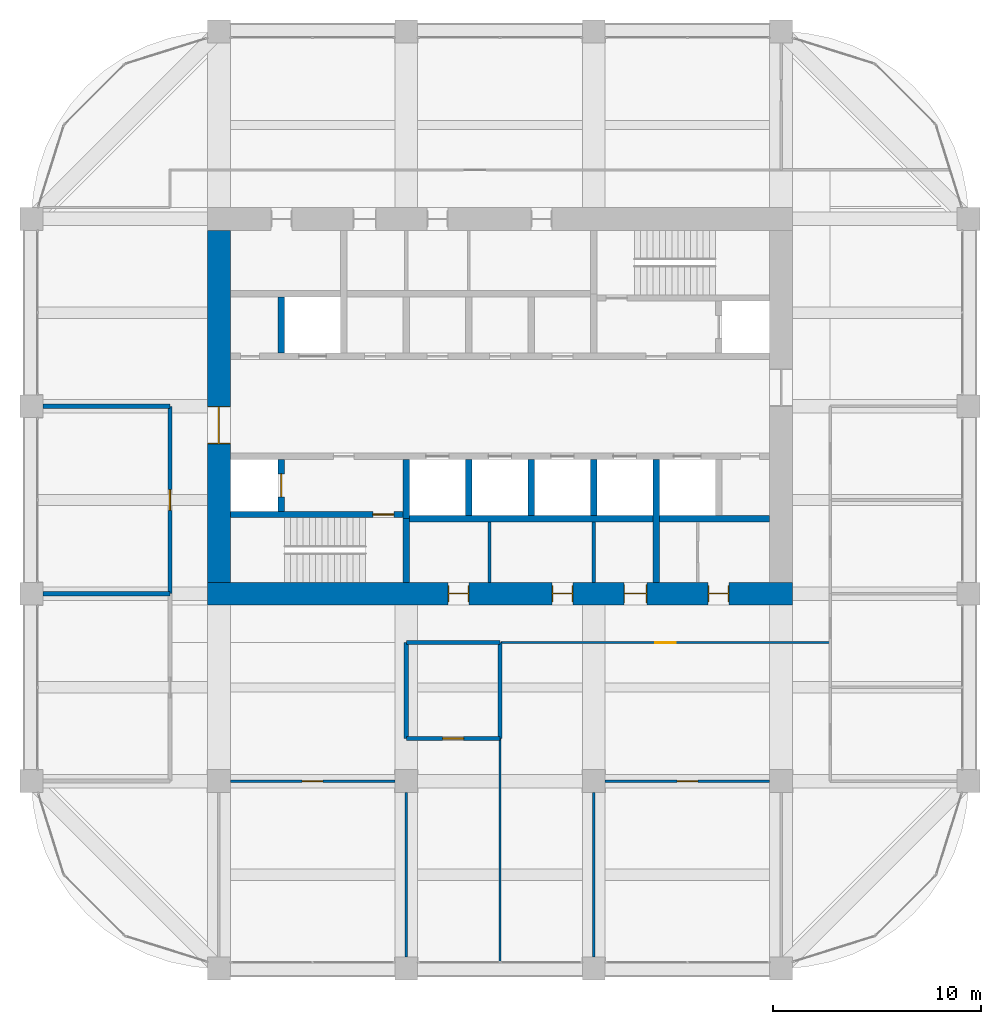
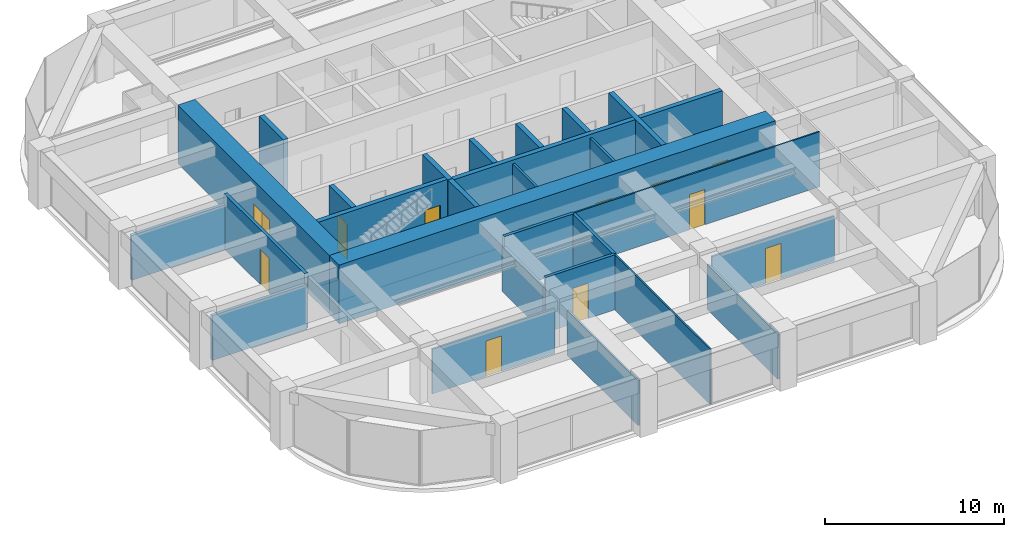
# One storey, part 41 of 44: 27 walls, 12 doors, 12 openings.
"""IFC4 building model written with IfcOpenShell, lengths in metres."""

import ifcopenshell
import ifcopenshell.guid

model = None  # the IFC model being written
_history = None  # IfcOwnerHistory: only IFC2X3 demands one
_inside = {}  # id of a spatial element -> (the spatial element, [elements in it])
_under = {}  # id of a project, library or spatial element -> (it, [spatial elements below it])
_declared = {}  # id of a project -> (the project, [libraries it declares])
_typed = {}  # id of a type object -> (the type object, [elements of that type])
_made_of = {}  # id of a material, layer set ... -> (it, [elements and type objects made of it])


def new_model(schema):
    """Start an empty IFC model of exactly this schema.

    Asked for "IFC4X3", IfcOpenShell would pick the latest addendum, in which some entities
    have other attributes; the version numbers below select the first issue.
    IFC2X3 requires an IfcOwnerHistory on every rooted entity: one is made here for all.
    """
    global model, _history
    if schema == "IFC4X3":
        model = ifcopenshell.file(schema_version=(4, 3, 0, 0))
    else:
        model = ifcopenshell.file(schema=schema)
    _inside.clear()
    _under.clear()
    _declared.clear()
    _typed.clear()
    _made_of.clear()
    _history = None
    if model.schema == "IFC2X3":
        org = make("IfcOrganization", Name="unknown")
        user = make(
            "IfcPersonAndOrganization",
            ThePerson=make("IfcPerson", FamilyName="unknown"),
            TheOrganization=org,
        )
        app = make(
            "IfcApplication",
            ApplicationDeveloper=org,
            Version="unknown",
            ApplicationFullName="unknown",
            ApplicationIdentifier="unknown",
        )
        _history = make(
            "IfcOwnerHistory",
            OwningUser=user,
            OwningApplication=app,
            ChangeAction="ADDED",
            CreationDate=0,
        )
    return model


def make(cls, **values):
    """One entity of the class cls with the attributes given. An attribute that is None is left unset."""
    return model.create_entity(
        cls, **{name: value for name, value in values.items() if value is not None}
    )


def rooted(cls, **values):
    """An entity with a GlobalId (a new one), such as an element, a storey or a relation."""
    return make(cls, GlobalId=ifcopenshell.guid.new(), OwnerHistory=_history, **values)


def si_unit(unit_type, name, prefix=None):
    """IfcSIUnit, for example si_unit("LENGTHUNIT", "METRE", prefix="MILLI")."""
    return make("IfcSIUnit", UnitType=unit_type, Prefix=prefix, Name=name)


def assignment(units):
    """IfcUnitAssignment: the units of a project."""
    return None if units is None else make("IfcUnitAssignment", Units=units)


def point(xyz):
    """IfcCartesianPoint."""
    return None if xyz is None else make("IfcCartesianPoint", Coordinates=xyz)


def direction(xyz):
    """IfcDirection."""
    return None if xyz is None else make("IfcDirection", DirectionRatios=xyz)


def frame(location, z_axis=None, x_axis=None):
    """IfcAxis2Placement3D, a coordinate frame: its origin and axes. An axis left out is left unset."""
    return make(
        "IfcAxis2Placement3D",
        Location=point(location),
        Axis=direction(z_axis),
        RefDirection=direction(x_axis),
    )


def frame_2d(location, x_axis=None):
    """IfcAxis2Placement2D, a coordinate frame in the plane: its origin and x axis."""
    return make(
        "IfcAxis2Placement2D", Location=point(location), RefDirection=direction(x_axis)
    )


def origin():
    """The frame at (0, 0, 0) with its axes left unset."""
    return frame((0.0, 0.0, 0.0))


def place(relative_to, where):
    """IfcLocalPlacement: puts the frame where relative to a parent placement (None: the world)."""
    return make(
        "IfcLocalPlacement", PlacementRelTo=relative_to, RelativePlacement=where
    )


def context(
    kind, dimensions, precision=None, world=None, true_north=None, identifier=None
):
    """IfcGeometricRepresentationContext, for example the 3D "Model" context."""
    return make(
        "IfcGeometricRepresentationContext",
        ContextIdentifier=identifier,
        ContextType=kind,
        CoordinateSpaceDimension=dimensions,
        Precision=precision,
        WorldCoordinateSystem=world,
        TrueNorth=true_north,
    )


def subcontext(parent, identifier, kind, view, scale=None):
    """IfcGeometricRepresentationSubContext, for example "Body" below "Model"."""
    return make(
        "IfcGeometricRepresentationSubContext",
        ContextIdentifier=identifier,
        ContextType=kind,
        ParentContext=parent,
        TargetScale=scale,
        TargetView=view,
    )


def project(units=None, contexts=None):
    """IfcProject with its units and contexts."""
    return rooted(
        "IfcProject",
        Name="project",
        RepresentationContexts=contexts,
        UnitsInContext=assignment(units),
    )


def spatial(cls, under=None, at=None, **own):
    """A site, building, storey or space (cls), placed at a placement, below another one or the project."""
    s = rooted(cls, ObjectPlacement=at, **own)
    if under is not None:
        _under.setdefault(under.id(), (under, []))[1].append(s)
    return s


def profile(cls, at=None, kind="AREA", **sizes):
    """A parametric profile (cls). Its sizes go by their IFC names, for example OverallWidth=200.0."""
    return make(cls, ProfileType=kind, Position=at, **sizes)


def rectangle(**sizes):
    """IfcRectangleProfileDef."""
    return profile("IfcRectangleProfileDef", **sizes)


def extrude(swept, where, along, depth):
    """IfcExtrudedAreaSolid: the profile swept, set in the frame where, extruded along a direction by depth."""
    return make(
        "IfcExtrudedAreaSolid",
        SweptArea=swept,
        Position=where,
        ExtrudedDirection=direction(along),
        Depth=depth,
    )


def shape(context_of_items, identifier, shape_type, items):
    """IfcShapeRepresentation: the items that make up one representation, for example the "Body"."""
    return make(
        "IfcShapeRepresentation",
        ContextOfItems=context_of_items,
        RepresentationIdentifier=identifier,
        RepresentationType=shape_type,
        Items=items,
    )


def material(Name=None, Category=None):
    """IfcMaterial."""
    return make("IfcMaterial", Name=Name, Category=Category)


def layer(
    of_material, thickness, ventilated=None, Name=None, Category=None, Priority=None
):
    """IfcMaterialLayer: one layer of a wall or slab, of a material (None: an air gap)."""
    return make(
        "IfcMaterialLayer",
        Material=of_material,
        LayerThickness=thickness,
        IsVentilated=ventilated,
        Name=Name,
        Category=Category,
        Priority=Priority,
    )


def layer_set(layers, Name=None):
    """IfcMaterialLayerSet."""
    return make("IfcMaterialLayerSet", MaterialLayers=layers, LayerSetName=Name)


def made_of(thing, what):
    """Note that an element or type object is made of a material, layer set ...; save() writes the relation."""
    if what is not None:
        _made_of.setdefault(what.id(), (what, []))[1].append(thing)
    return thing


def type_object(cls, material=None, **own):
    """A type object (cls), such as IfcWallType, which elements share."""
    return made_of(rooted(cls, **own), material)


def element(
    cls,
    number,
    at=None,
    inside=None,
    cuts=None,
    type_object=None,
    material=None,
    context=None,
    identifier="Body",
    shape_type=None,
    held_by="IfcProductDefinitionShape",
    body=None,
    shapes=None,
    **own,
):
    """One element of the class cls, such as IfcWall. Its Tag is "e" and its number.

    at: its placement. inside: the storey or other place that contains it. cuts: it is an
    opening in that element (IfcRelVoidsElement). A single representation is given by context,
    identifier, shape_type and body (its items); several are given by shapes. held_by: the class
    of the entity that holds the representations. save() writes the other relations.
    """
    e = rooted(cls, Tag="e%d" % number, ObjectPlacement=at, **own)
    if body is not None:
        shapes = [shape(context, identifier, shape_type, body)]
    if shapes is not None:
        e.Representation = make(held_by, Representations=shapes)
    if inside is not None:
        _inside.setdefault(inside.id(), (inside, []))[1].append(e)
    if cuts is not None:
        rooted(
            "IfcRelVoidsElement", RelatingBuildingElement=cuts, RelatedOpeningElement=e
        )
    if type_object is not None:
        _typed.setdefault(type_object.id(), (type_object, []))[1].append(e)
    return made_of(e, material)


def fill(opening, filler):
    """IfcRelFillsElement: the door or window that sits in an opening."""
    return rooted(
        "IfcRelFillsElement",
        RelatingOpeningElement=opening,
        RelatedBuildingElement=filler,
    )


def aggregate(whole, parts):
    """IfcRelAggregates: a whole, such as a stair, and the parts it consists of."""
    return rooted("IfcRelAggregates", RelatingObject=whole, RelatedObjects=parts)


def save(model, path):
    """Write the relations noted so far, then the file.

    IfcRelAggregates (storeys below a building ...), IfcRelContainedInSpatialStructure (elements
    in a storey), IfcRelDefinesByType, IfcRelAssociatesMaterial and IfcRelDeclares: one each for
    every whole, place, type object, material and project.
    """
    for whole, parts in _under.values():
        aggregate(whole, parts)
    for where, things in _inside.values():
        rooted(
            "IfcRelContainedInSpatialStructure",
            RelatedElements=things,
            RelatingStructure=where,
        )
    for kind, things in _typed.values():
        rooted("IfcRelDefinesByType", RelatedObjects=things, RelatingType=kind)
    for what, things in _made_of.values():
        rooted("IfcRelAssociatesMaterial", RelatedObjects=things, RelatingMaterial=what)
    for by, libraries in _declared.values():
        rooted("IfcRelDeclares", RelatingContext=by, RelatedDefinitions=libraries)
    model.write(path)


model = new_model("IFC4")

# Units and contexts
model_context = context("Model", 3, precision=1e-05, world=origin(), true_north=direction((0.0, 1.0)))
body_context = subcontext(model_context, "Body", "Model", "MODEL_VIEW")
ifc_project = project(units=[si_unit("LENGTHUNIT", "METRE"), si_unit("AREAUNIT", "SQUARE_METRE"), si_unit("VOLUMEUNIT", "CUBIC_METRE"), si_unit("PLANEANGLEUNIT", "RADIAN"), si_unit("MASSUNIT", "GRAM", prefix="KILO")], contexts=[model_context])

# Site, building, storey
site_placement = place(None, origin())
site = spatial("IfcSite", under=ifc_project, at=site_placement, CompositionType="ELEMENT")
building_placement = place(site_placement, origin())
building = spatial("IfcBuilding", under=site, at=building_placement, Name="Zorevar Civic Tower", CompositionType="ELEMENT")
storey_placement = place(building_placement, frame((0.0, 0.0, 267.39990234375)))
storey = spatial("IfcBuildingStorey", under=building, at=storey_placement, Name="L65", CompositionType="ELEMENT", Elevation=267.39990234375)

# Wall, opening, door
ifc_material_1 = material(Name="Concrete blockwork", Category="masonry")
ifc_layer_1 = layer(ifc_material_1, 0.199951171875)
ifc_layer_set_1 = layer_set([ifc_layer_1], Name="Blockwork wall 200")
wall_type_1 = type_object("IfcWallType", Name="Blockwork wall 200", PredefinedType="SOLIDWALL", material=ifc_layer_set_1)
wall_1_placement = place(storey_placement, frame((27.0, 11.050048828125, 0.0), z_axis=(0.0, 0.0, 1.0), x_axis=(1.0, 0.0, 0.0)))
wall_1 = element("IfcWall", 1, at=wall_1_placement, inside=storey, type_object=wall_type_1, Name="Blockwork wall 200 L65", PredefinedType="SOLIDWALL", context=body_context, shape_type="SweptSolid", body=[
    extrude(rectangle(XDim=4.5, YDim=0.199951171875, at=frame_2d((2.25, 0.0))), origin(), (0.0, 0.0, 1.0), 3.75),
])
opening_1_placement = place(wall_1_placement, frame((1.75, 0.0, 0.0)))
opening_1 = element("IfcOpeningElement", 2, at=opening_1_placement, cuts=wall_1, Name="Opening L65.19", PredefinedType="OPENING", context=body_context, shape_type="SweptSolid", body=[
    extrude(rectangle(XDim=1.0, YDim=2.39990234375, at=frame_2d((0.5, 1.199951171875))), frame((0.0, 0.10986328125, 0.0), z_axis=(0.0, -1.0, 0.0), x_axis=(1.0, 0.0, 0.0)), (0.0, 0.0, 1.0), 0.219970703125),
])
ifc_material_2 = material(Name="Steel door set", Category="steel")
door_type_1 = type_object("IfcDoorType", Name="Security door SD1 1000x2400", OperationType="SINGLE_SWING_LEFT", PredefinedType="DOOR", material=ifc_material_2)
door_1_placement = place(opening_1_placement, origin())
door_1 = element("IfcDoor", 3, at=door_1_placement, inside=storey, type_object=door_type_1, Name="Door L65 D1", OperationType="SINGLE_SWING_RIGHT", OverallHeight=2.39990234375, OverallWidth=1.0, PredefinedType="DOOR", context=body_context, shape_type="SweptSolid", body=[
    extrude(rectangle(XDim=1.0, YDim=2.39990234375, at=frame_2d((0.5, 1.199951171875))), frame((0.0, 0.03515625, 0.0), z_axis=(0.0, -1.0, 0.0), x_axis=(1.0, 0.0, 0.0)), (0.0, 0.0, 1.0), 0.070068359375),
])
fill(opening_1, door_1)

# Walls
wall_2_placement = place(storey_placement, frame((27.0, 15.64990234375, 0.0), z_axis=(0.0, 0.0, 1.0), x_axis=(1.0, 0.0, 0.0)))
element("IfcWall", 4, at=wall_2_placement, inside=storey, type_object=wall_type_1, Name="Blockwork wall 200 L65", PredefinedType="SOLIDWALL", context=body_context, shape_type="SweptSolid", body=[
    extrude(rectangle(XDim=4.5, YDim=0.199951171875, at=frame_2d((2.25, 0.0))), origin(), (0.0, 0.0, 1.0), 3.75),
])
for number, where, z_axis, x_axis, name in (
    (5, (9.550048828125, 18.0, 0.0), (0.0, 0.0, 1.0), (1.0, 0.0, 0.0), "Blockwork wall 200 L65"),
    (6, (9.550048828125, 27.0, 0.0), (0.0, 0.0, 1.0), (1.0, 0.0, 0.0), "Blockwork wall 200 L65"),
):
    element("IfcWall", number, at=place(storey_placement, frame(where, z_axis=z_axis, x_axis=x_axis)), inside=storey, type_object=wall_type_1, Name=name, PredefinedType="SOLIDWALL", context=body_context, shape_type="SweptSolid", body=[
        extrude(rectangle(XDim=6.099853515625, YDim=0.199951171875, at=frame_2d((3.0498046875, 0.0))), origin(), (0.0, 0.0, 1.0), 3.050048828125),
    ])

# Wall, opening, door
wall_3_placement = place(storey_placement, frame((15.64990234375, 18.0, 0.0), z_axis=(0.0, 0.0, 1.0), x_axis=(0.0, 1.0, 0.0)))
wall_3 = element("IfcWall", 7, at=wall_3_placement, inside=storey, type_object=wall_type_1, Name="Blockwork wall 200 L65", PredefinedType="SOLIDWALL", context=body_context, shape_type="SweptSolid", body=[
    extrude(rectangle(XDim=9.0, YDim=0.199951171875, at=frame_2d((4.5, 0.0))), origin(), (0.0, 0.0, 1.0), 3.75),
])
opening_2_placement = place(wall_3_placement, frame((4.0, 0.0, 0.0)))
opening_2 = element("IfcOpeningElement", 8, at=opening_2_placement, cuts=wall_3, Name="Opening L65.23", PredefinedType="OPENING", context=body_context, shape_type="SweptSolid", body=[
    extrude(rectangle(XDim=1.0, YDim=2.39990234375, at=frame_2d((0.5, 1.199951171875))), frame((0.0, 0.10986328125, 0.0), z_axis=(0.0, -1.0, 0.0), x_axis=(1.0, 0.0, 0.0)), (0.0, 0.0, 1.0), 0.219970703125),
])
door_2_placement = place(opening_2_placement, origin())
door_2 = element("IfcDoor", 9, at=door_2_placement, inside=storey, type_object=door_type_1, Name="Door L65 D1", OperationType="SINGLE_SWING_LEFT", OverallHeight=2.39990234375, OverallWidth=1.0, PredefinedType="DOOR", context=body_context, shape_type="SweptSolid", body=[
    extrude(rectangle(XDim=1.0, YDim=2.39990234375, at=frame_2d((0.5, 1.199951171875))), frame((0.0, 0.03515625, 0.0), z_axis=(0.0, -1.0, 0.0), x_axis=(1.0, 0.0, 0.0)), (0.0, 0.0, 1.0), 0.070068359375),
])
fill(opening_2, door_2)

# Walls
wall_4_placement = place(storey_placement, frame((27.0, 11.050048828125, 0.0), z_axis=(0.0, 0.0, 1.0), x_axis=(0.0, 1.0, 0.0)))
element("IfcWall", 10, at=wall_4_placement, inside=storey, type_object=wall_type_1, Name="Blockwork wall 200 L65", PredefinedType="SOLIDWALL", context=body_context, shape_type="SweptSolid", body=[
    extrude(rectangle(XDim=4.599853515625, YDim=0.199951171875, at=frame_2d((2.2998046875, 0.0))), origin(), (0.0, 0.0, 1.0), 3.050048828125),
])
wall_5_placement = place(storey_placement, frame((31.5, 11.050048828125, 0.0), z_axis=(0.0, 0.0, 1.0), x_axis=(0.0, 1.0, 0.0)))
element("IfcWall", 11, at=wall_5_placement, inside=storey, type_object=wall_type_1, Name="Blockwork wall 200 L65", PredefinedType="SOLIDWALL", context=body_context, shape_type="SweptSolid", body=[
    extrude(rectangle(XDim=4.599853515625, YDim=0.199951171875, at=frame_2d((2.2998046875, 0.0))), origin(), (0.0, 0.0, 1.0), 3.75),
])

# Wall, openings, doors
ifc_material_3 = material(Name="Concrete C50/60", Category="concrete")
ifc_layer_2 = layer(ifc_material_3, 1.10009765625)
ifc_layer_set_2 = layer_set([ifc_layer_2], Name="Core wall 1100")
wall_type_2 = type_object("IfcWallType", Name="Core wall 1100", PredefinedType="SHEAR", material=ifc_layer_set_2)
wall_6_placement = place(storey_placement, frame((17.449951171875, 18.0, 0.0), z_axis=(0.0, 0.0, 1.0), x_axis=(1.0, 0.0, 0.0)))
wall_6 = element("IfcWall", 12, at=wall_6_placement, inside=storey, type_object=wall_type_2, Name="Core wall S L65", PredefinedType="SHEAR", context=body_context, shape_type="SweptSolid", body=[
    extrude(rectangle(XDim=28.10009765625, YDim=1.10009765625, at=frame_2d((14.050048828125, 0.0))), origin(), (0.0, 0.0, 1.0), 4.0),
])
opening_3_placement = place(wall_6_placement, frame((11.550048828125, 0.0, 0.0)))
opening_3 = element("IfcOpeningElement", 13, at=opening_3_placement, cuts=wall_6, Name="Opening L65.03", PredefinedType="OPENING", context=body_context, shape_type="SweptSolid", body=[
    extrude(rectangle(XDim=1.0, YDim=2.39990234375, at=frame_2d((0.5, 1.199951171875))), frame((0.0, 0.56005859375, 0.0), z_axis=(0.0, -1.0, 0.0), x_axis=(1.0, 0.0, 0.0)), (0.0, 0.0, 1.0), 1.1201171875),
])
opening_4_placement = place(wall_6_placement, frame((16.550048828125, 0.0, 0.0)))
opening_4 = element("IfcOpeningElement", 14, at=opening_4_placement, cuts=wall_6, Name="Opening L65.04", PredefinedType="OPENING", context=body_context, shape_type="SweptSolid", body=[
    extrude(rectangle(XDim=1.0, YDim=2.39990234375, at=frame_2d((0.5, 1.199951171875))), frame((0.0, 0.56005859375, 0.0), z_axis=(0.0, -1.0, 0.0), x_axis=(1.0, 0.0, 0.0)), (0.0, 0.0, 1.0), 1.1201171875),
])
opening_5_placement = place(wall_6_placement, frame((20.0, 0.0, 0.0)))
opening_5 = element("IfcOpeningElement", 15, at=opening_5_placement, cuts=wall_6, Name="Opening L65.05", PredefinedType="OPENING", context=body_context, shape_type="SweptSolid", body=[
    extrude(rectangle(XDim=1.10009765625, YDim=2.39990234375, at=frame_2d((0.550048828125, 1.199951171875))), frame((0.0, 0.56005859375, 0.0), z_axis=(0.0, -1.0, 0.0), x_axis=(1.0, 0.0, 0.0)), (0.0, 0.0, 1.0), 1.1201171875),
])
opening_6_placement = place(wall_6_placement, frame((24.050048828125, 0.0, 0.0)))
opening_6 = element("IfcOpeningElement", 16, at=opening_6_placement, cuts=wall_6, Name="Opening L65.06", PredefinedType="OPENING", context=body_context, shape_type="SweptSolid", body=[
    extrude(rectangle(XDim=1.0, YDim=2.39990234375, at=frame_2d((0.5, 1.199951171875))), frame((0.0, 0.56005859375, 0.0), z_axis=(0.0, -1.0, 0.0), x_axis=(1.0, 0.0, 0.0)), (0.0, 0.0, 1.0), 1.1201171875),
])
ifc_material_4 = material(Name="Timber door set", Category="wood")
door_type_2 = type_object("IfcDoorType", Name="Door D1 1000x2400", OperationType="SINGLE_SWING_LEFT", PredefinedType="DOOR", material=ifc_material_4)
door_3_placement = place(opening_3_placement, origin())
door_3 = element("IfcDoor", 17, at=door_3_placement, inside=storey, type_object=door_type_2, Name="Door L65 02", OperationType="SINGLE_SWING_LEFT", OverallHeight=2.39990234375, OverallWidth=1.0, PredefinedType="DOOR", context=body_context, shape_type="SweptSolid", body=[
    extrude(rectangle(XDim=1.0, YDim=2.39990234375, at=frame_2d((0.5, 1.199951171875))), frame((0.0, 0.02490234375, 0.0), z_axis=(0.0, -1.0, 0.0), x_axis=(1.0, 0.0, 0.0)), (0.0, 0.0, 1.0), 0.050048828125),
    extrude(rectangle(XDim=0.04, YDim=2.39990234375, at=frame_2d((0.02001953125, 1.199951171875))), frame((0.0, 0.39990234375, 0.0), z_axis=(0.0, -1.0, 0.0), x_axis=(1.0, 0.0, 0.0)), (0.0, 0.0, 1.0), 0.800048828125),
    extrude(rectangle(XDim=0.04, YDim=2.39990234375, at=frame_2d((0.97998046875, 1.199951171875))), frame((0.0, 0.39990234375, 0.0), z_axis=(0.0, -1.0, 0.0), x_axis=(1.0, 0.0, 0.0)), (0.0, 0.0, 1.0), 0.800048828125),
    extrude(rectangle(XDim=1.0, YDim=0.04, at=frame_2d((0.5, 2.3798828125))), frame((0.0, 0.39990234375, 0.0), z_axis=(0.0, -1.0, 0.0), x_axis=(1.0, 0.0, 0.0)), (0.0, 0.0, 1.0), 0.800048828125),
])
fill(opening_3, door_3)
door_4_placement = place(opening_4_placement, origin())
door_4 = element("IfcDoor", 18, at=door_4_placement, inside=storey, type_object=door_type_2, Name="Door L65 03", OperationType="SINGLE_SWING_RIGHT", OverallHeight=2.39990234375, OverallWidth=1.0, PredefinedType="DOOR", context=body_context, shape_type="SweptSolid", body=[
    extrude(rectangle(XDim=1.0, YDim=2.39990234375, at=frame_2d((0.5, 1.199951171875))), frame((0.0, 0.02490234375, 0.0), z_axis=(0.0, -1.0, 0.0), x_axis=(1.0, 0.0, 0.0)), (0.0, 0.0, 1.0), 0.050048828125),
    extrude(rectangle(XDim=0.04, YDim=2.39990234375, at=frame_2d((0.02001953125, 1.199951171875))), frame((0.0, 0.39990234375, 0.0), z_axis=(0.0, -1.0, 0.0), x_axis=(1.0, 0.0, 0.0)), (0.0, 0.0, 1.0), 0.800048828125),
    extrude(rectangle(XDim=0.04, YDim=2.39990234375, at=frame_2d((0.97998046875, 1.199951171875))), frame((0.0, 0.39990234375, 0.0), z_axis=(0.0, -1.0, 0.0), x_axis=(1.0, 0.0, 0.0)), (0.0, 0.0, 1.0), 0.800048828125),
    extrude(rectangle(XDim=1.0, YDim=0.04, at=frame_2d((0.5, 2.3798828125))), frame((0.0, 0.39990234375, 0.0), z_axis=(0.0, -1.0, 0.0), x_axis=(1.0, 0.0, 0.0)), (0.0, 0.0, 1.0), 0.800048828125),
])
fill(opening_4, door_4)
door_5_placement = place(opening_6_placement, origin())
door_5 = element("IfcDoor", 19, at=door_5_placement, inside=storey, type_object=door_type_2, Name="Door L65 05", OperationType="SINGLE_SWING_RIGHT", OverallHeight=2.39990234375, OverallWidth=1.0, PredefinedType="DOOR", context=body_context, shape_type="SweptSolid", body=[
    extrude(rectangle(XDim=1.0, YDim=2.39990234375, at=frame_2d((0.5, 1.199951171875))), frame((0.0, 0.02490234375, 0.0), z_axis=(0.0, -1.0, 0.0), x_axis=(1.0, 0.0, 0.0)), (0.0, 0.0, 1.0), 0.050048828125),
    extrude(rectangle(XDim=0.04, YDim=2.39990234375, at=frame_2d((0.02001953125, 1.199951171875))), frame((0.0, 0.39990234375, 0.0), z_axis=(0.0, -1.0, 0.0), x_axis=(1.0, 0.0, 0.0)), (0.0, 0.0, 1.0), 0.800048828125),
    extrude(rectangle(XDim=0.04, YDim=2.39990234375, at=frame_2d((0.97998046875, 1.199951171875))), frame((0.0, 0.39990234375, 0.0), z_axis=(0.0, -1.0, 0.0), x_axis=(1.0, 0.0, 0.0)), (0.0, 0.0, 1.0), 0.800048828125),
    extrude(rectangle(XDim=1.0, YDim=0.04, at=frame_2d((0.5, 2.3798828125))), frame((0.0, 0.39990234375, 0.0), z_axis=(0.0, -1.0, 0.0), x_axis=(1.0, 0.0, 0.0)), (0.0, 0.0, 1.0), 0.800048828125),
])
fill(opening_6, door_5)
ifc_material_5 = material(Name="Timber door set", Category="wood")
door_type_3 = type_object("IfcDoorType", Name="Door D5 1100x2400", OperationType="SINGLE_SWING_LEFT", PredefinedType="DOOR", material=ifc_material_5)
door_6_placement = place(opening_5_placement, origin())
door_6 = element("IfcDoor", 20, at=door_6_placement, inside=storey, type_object=door_type_3, Name="Door L65 04", OperationType="SINGLE_SWING_RIGHT", OverallHeight=2.39990234375, OverallWidth=1.10009765625, PredefinedType="DOOR", context=body_context, shape_type="SweptSolid", body=[
    extrude(rectangle(XDim=1.10009765625, YDim=2.39990234375, at=frame_2d((0.550048828125, 1.199951171875))), frame((0.0, 0.02490234375, 0.0), z_axis=(0.0, -1.0, 0.0), x_axis=(1.0, 0.0, 0.0)), (0.0, 0.0, 1.0), 0.050048828125),
    extrude(rectangle(XDim=0.04, YDim=2.39990234375, at=frame_2d((0.02001953125, 1.199951171875))), frame((0.0, 0.43994140625, 0.0), z_axis=(0.0, -1.0, 0.0), x_axis=(1.0, 0.0, 0.0)), (0.0, 0.0, 1.0), 0.880126953125),
    extrude(rectangle(XDim=0.04, YDim=2.39990234375, at=frame_2d((1.080078125, 1.199951171875))), frame((0.0, 0.43994140625, 0.0), z_axis=(0.0, -1.0, 0.0), x_axis=(1.0, 0.0, 0.0)), (0.0, 0.0, 1.0), 0.880126953125),
    extrude(rectangle(XDim=1.10009765625, YDim=0.04, at=frame_2d((0.550048828125, 2.3798828125))), frame((0.0, 0.43994140625, 0.0), z_axis=(0.0, -1.0, 0.0), x_axis=(1.0, 0.0, 0.0)), (0.0, 0.0, 1.0), 0.880126953125),
])
fill(opening_5, door_6)

# Wall, opening, door
wall_7_placement = place(storey_placement, frame((18.0, 35.449951171875, 0.0), z_axis=(0.0, 0.0, 1.0), x_axis=(0.0, -1.0, 0.0)))
wall_7 = element("IfcWall", 21, at=wall_7_placement, inside=storey, type_object=wall_type_2, Name="Core wall W L65", PredefinedType="SHEAR", context=body_context, shape_type="SweptSolid", body=[
    extrude(rectangle(XDim=16.89990234375, YDim=1.10009765625, at=frame_2d((8.449951171875, 0.0))), origin(), (0.0, 0.0, 1.0), 4.0),
])
opening_7_placement = place(wall_7_placement, frame((8.449951171875, 0.0, 0.0)))
opening_7 = element("IfcOpeningElement", 22, at=opening_7_placement, cuts=wall_7, Name="Opening L65.01", PredefinedType="OPENING", context=body_context, shape_type="SweptSolid", body=[
    extrude(rectangle(XDim=1.800048828125, YDim=2.39990234375, at=frame_2d((0.89990234375, 1.199951171875))), frame((0.0, 0.56005859375, 0.0), z_axis=(0.0, -1.0, 0.0), x_axis=(1.0, 0.0, 0.0)), (0.0, 0.0, 1.0), 1.1201171875),
])
ifc_material_6 = material(Name="Steel door set", Category="steel")
door_type_4 = type_object("IfcDoorType", Name="Fire door FD2 1800x2400", OperationType="DOUBLE_DOOR_DOUBLE_SWING", PredefinedType="DOOR", material=ifc_material_6)
door_7_placement = place(opening_7_placement, origin())
door_7 = element("IfcDoor", 23, at=door_7_placement, inside=storey, type_object=door_type_4, Name="Door L65 00", OperationType="DOUBLE_DOOR_DOUBLE_SWING", OverallHeight=2.39990234375, OverallWidth=1.800048828125, PredefinedType="DOOR", context=body_context, shape_type="SweptSolid", body=[
    extrude(rectangle(XDim=1.800048828125, YDim=2.39990234375, at=frame_2d((0.89990234375, 1.199951171875))), frame((0.0, 0.030029296875, 0.0), z_axis=(0.0, -1.0, 0.0), x_axis=(1.0, 0.0, 0.0)), (0.0, 0.0, 1.0), 0.06005859375),
    extrude(rectangle(XDim=0.04, YDim=2.39990234375, at=frame_2d((0.02001953125, 1.199951171875))), frame((0.0, 0.5498046875, 0.0), z_axis=(0.0, -1.0, 0.0), x_axis=(1.0, 0.0, 0.0)), (0.0, 0.0, 1.0), 1.099609375),
    extrude(rectangle(XDim=0.04, YDim=2.39990234375, at=frame_2d((1.780029296875, 1.199951171875))), frame((0.0, 0.5498046875, 0.0), z_axis=(0.0, -1.0, 0.0), x_axis=(1.0, 0.0, 0.0)), (0.0, 0.0, 1.0), 1.099609375),
    extrude(rectangle(XDim=1.800048828125, YDim=0.04, at=frame_2d((0.89990234375, 2.3798828125))), frame((0.0, 0.5498046875, 0.0), z_axis=(0.0, -1.0, 0.0), x_axis=(1.0, 0.0, 0.0)), (0.0, 0.0, 1.0), 1.099609375),
])
fill(opening_7, door_7)

ifc_material_7 = material(Name="Laminated glass in black aluminium frame", Category="aluminium")
ifc_layer_3 = layer(ifc_material_7, 0.10009765625)
ifc_layer_set_3 = layer_set([ifc_layer_3], Name="Glazed partition 100")
wall_type_3 = type_object("IfcWallType", Name="Glazed partition 100", PredefinedType="PARTITIONING", material=ifc_layer_set_3)
wall_8_placement = place(storey_placement, frame((31.550048828125, 15.64990234375, 0.0), z_axis=(0.0, 0.0, 1.0), x_axis=(1.0, 0.0, 0.0)))
wall_8 = element("IfcWall", 24, at=wall_8_placement, inside=storey, type_object=wall_type_3, Name="Glazed partition 100 L65", PredefinedType="PARTITIONING", context=body_context, shape_type="SweptSolid", body=[
    extrude(rectangle(XDim=15.7900390625, YDim=0.10009765625, at=frame_2d((7.89501953125, 0.0))), origin(), (0.0, 0.0, 1.0), 3.75),
])
opening_8_placement = place(wall_8_placement, frame((7.39501953125, 0.0, 0.0)))
opening_8 = element("IfcOpeningElement", 25, at=opening_8_placement, cuts=wall_8, Name="Opening L65.20", PredefinedType="OPENING", context=body_context, shape_type="SweptSolid", body=[
    extrude(rectangle(XDim=1.0, YDim=2.39990234375, at=frame_2d((0.5, 1.199951171875))), frame((0.0, 0.06005859375, 0.0), z_axis=(0.0, -1.0, 0.0), x_axis=(1.0, 0.0, 0.0)), (0.0, 0.0, 1.0), 0.1201171875),
])
ifc_material_8 = material(Name="Timber door set", Category="wood")
door_type_5 = type_object("IfcDoorType", Name="Glazed door GD1 1000x2400", OperationType="SINGLE_SWING_LEFT", PredefinedType="DOOR", material=ifc_material_8)
door_8_placement = place(opening_8_placement, origin())
door_8 = element("IfcDoor", 26, at=door_8_placement, inside=storey, type_object=door_type_5, Name="Door L65 D1", OperationType="SINGLE_SWING_LEFT", OverallHeight=2.39990234375, OverallWidth=1.0, PredefinedType="DOOR", context=body_context, shape_type="SweptSolid", body=[
    extrude(rectangle(XDim=1.0, YDim=2.39990234375, at=frame_2d((0.5, 1.199951171875))), frame((0.0, 0.02001953125, 0.0), z_axis=(0.0, -1.0, 0.0), x_axis=(1.0, 0.0, 0.0)), (0.0, 0.0, 1.0), 0.0400390625),
])
fill(opening_8, door_8)

# Wall
wall_9_placement = place(storey_placement, frame((31.5, 0.31005859375, 0.0), z_axis=(0.0, 0.0, 1.0), x_axis=(0.0, 1.0, 0.0)))
element("IfcWall", 27, at=wall_9_placement, inside=storey, type_object=wall_type_3, Name="Glazed partition 100 L65", PredefinedType="PARTITIONING", context=body_context, shape_type="SweptSolid", body=[
    extrude(rectangle(XDim=10.739990234375, YDim=0.10009765625, at=frame_2d((5.3701171875, 0.0))), origin(), (0.0, 0.0, 1.0), 3.75),
])

# Wall, opening, door
ifc_material_9 = material(Name="Concrete C40/50", Category="concrete")
ifc_layer_4 = layer(ifc_material_9, 0.300048828125)
ifc_layer_set_4 = layer_set([ifc_layer_4], Name="Inner core wall 300")
wall_type_4 = type_object("IfcWallType", Name="Inner core wall 300", PredefinedType="SHEAR", material=ifc_layer_set_4)
wall_10_placement = place(storey_placement, frame((18.550048828125, 21.800048828125, 0.0), z_axis=(0.0, 0.0, 1.0), x_axis=(1.0, 0.0, 0.0)))
wall_10 = element("IfcWall", 28, at=wall_10_placement, inside=storey, type_object=wall_type_4, Name="Inner core wall S00 L65", PredefinedType="SHEAR", context=body_context, shape_type="SweptSolid", body=[
    extrude(rectangle(XDim=8.300048828125, YDim=0.300048828125, at=frame_2d((4.14990234375, 0.0))), origin(), (0.0, 0.0, 1.0), 4.0),
])
opening_9_placement = place(wall_10_placement, frame((6.85009765625, 0.0, 0.0)))
opening_9 = element("IfcOpeningElement", 29, at=opening_9_placement, cuts=wall_10, Name="Opening L65.11", PredefinedType="OPENING", context=body_context, shape_type="SweptSolid", body=[
    extrude(rectangle(XDim=1.0, YDim=2.39990234375, at=frame_2d((0.5, 1.199951171875))), frame((0.0, 0.159912109375, 0.0), z_axis=(0.0, -1.0, 0.0), x_axis=(1.0, 0.0, 0.0)), (0.0, 0.0, 1.0), 0.320068359375),
])
ifc_material_10 = material(Name="Steel door set", Category="steel")
door_type_6 = type_object("IfcDoorType", Name="Fire door FD1 1000x2400", OperationType="SINGLE_SWING_LEFT", PredefinedType="DOOR", material=ifc_material_10)
door_9_placement = place(opening_9_placement, origin())
door_9 = element("IfcDoor", 30, at=door_9_placement, inside=storey, type_object=door_type_6, Name="Door L65 10", OperationType="SINGLE_SWING_RIGHT", OverallHeight=2.39990234375, OverallWidth=1.0, PredefinedType="DOOR", context=body_context, shape_type="SweptSolid", body=[
    extrude(rectangle(XDim=1.0, YDim=2.39990234375, at=frame_2d((0.5, 1.199951171875))), frame((0.0, 0.030029296875, 0.0), z_axis=(0.0, -1.0, 0.0), x_axis=(1.0, 0.0, 0.0)), (0.0, 0.0, 1.0), 0.06005859375),
])
fill(opening_9, door_9)

# Wall
wall_11_placement = place(storey_placement, frame((27.0, 18.550048828125, 0.0), z_axis=(0.0, 0.0, 1.0), x_axis=(0.0, 1.0, 0.0)))
element("IfcWall", 31, at=wall_11_placement, inside=storey, type_object=wall_type_4, Name="Inner core wall S01 L65", PredefinedType="SHEAR", context=body_context, shape_type="SweptSolid", body=[
    extrude(rectangle(XDim=3.050048828125, YDim=0.300048828125, at=frame_2d((1.52490234375, 0.0))), origin(), (0.0, 0.0, 1.0), 4.0),
])

# Wall, opening, door
wall_12_placement = place(storey_placement, frame((21.0, 21.949951171875, 0.0), z_axis=(0.0, 0.0, 1.0), x_axis=(0.0, 1.0, 0.0)))
wall_12 = element("IfcWall", 32, at=wall_12_placement, inside=storey, type_object=wall_type_4, Name="Inner core wall S02 L65", PredefinedType="SHEAR", context=body_context, shape_type="SweptSolid", body=[
    extrude(rectangle(XDim=2.5, YDim=0.300048828125, at=frame_2d((1.25, 0.0))), origin(), (0.0, 0.0, 1.0), 4.0),
])
opening_10_placement = place(wall_12_placement, frame((0.699951171875, 0.0, 0.0)))
opening_10 = element("IfcOpeningElement", 33, at=opening_10_placement, cuts=wall_12, Name="Opening L65.FL1", PredefinedType="OPENING", context=body_context, shape_type="SweptSolid", body=[
    extrude(rectangle(XDim=1.10009765625, YDim=2.39990234375, at=frame_2d((0.550048828125, 1.199951171875))), frame((0.0, 0.159912109375, 0.0), z_axis=(0.0, -1.0, 0.0), x_axis=(1.0, 0.0, 0.0)), (0.0, 0.0, 1.0), 0.320068359375),
])
ifc_material_11 = material(Name="Steel door set", Category="steel")
door_type_7 = type_object("IfcDoorType", Name="Firefighting lift landing door LD3 1100x2400", OperationType="DOUBLE_DOOR_SLIDING", PredefinedType="DOOR", material=ifc_material_11)
door_10_placement = place(opening_10_placement, origin())
door_10 = element("IfcDoor", 34, at=door_10_placement, inside=storey, type_object=door_type_7, Name="Landing door FL1 L65", OperationType="DOUBLE_DOOR_SLIDING", OverallHeight=2.39990234375, OverallWidth=1.10009765625, PredefinedType="DOOR", context=body_context, shape_type="SweptSolid", body=[
    extrude(rectangle(XDim=1.10009765625, YDim=2.39990234375, at=frame_2d((0.550048828125, 1.199951171875))), frame((0.0, 0.030029296875, 0.0), z_axis=(0.0, -1.0, 0.0), x_axis=(1.0, 0.0, 0.0)), (0.0, 0.0, 1.0), 0.06005859375),
])
fill(opening_10, door_10)

# Walls
wall_13_placement = place(storey_placement, frame((27.14990234375, 21.60009765625, 0.0), z_axis=(0.0, 0.0, 1.0), x_axis=(1.0, 0.0, 0.0)))
element("IfcWall", 35, at=wall_13_placement, inside=storey, type_object=wall_type_4, Name="Inner core wall S04 L65", PredefinedType="SHEAR", context=body_context, shape_type="SweptSolid", body=[
    extrude(rectangle(XDim=17.300048828125, YDim=0.300048828125, at=frame_2d((8.64990234375, 0.0))), origin(), (0.0, 0.0, 1.0), 4.0),
])
for number, where, z_axis, x_axis, name in (
    (36, (30.0, 21.75, 0.0), (0.0, 0.0, 1.0), (0.0, 1.0, 0.0), "Inner core wall S05 L65"),
    (37, (33.0, 21.75, 0.0), (0.0, 0.0, 1.0), (0.0, 1.0, 0.0), "Inner core wall S06 L65"),
    (38, (36.0, 21.75, 0.0), (0.0, 0.0, 1.0), (0.0, 1.0, 0.0), "Inner core wall S07 L65"),
):
    element("IfcWall", number, at=place(storey_placement, frame(where, z_axis=z_axis, x_axis=x_axis)), inside=storey, type_object=wall_type_4, Name=name, PredefinedType="SHEAR", context=body_context, shape_type="SweptSolid", body=[
        extrude(rectangle(XDim=2.699951171875, YDim=0.300048828125, at=frame_2d((1.35009765625, 0.0))), origin(), (0.0, 0.0, 1.0), 4.0),
    ])
wall_14_placement = place(storey_placement, frame((39.0, 18.550048828125, 0.0), z_axis=(0.0, 0.0, 1.0), x_axis=(0.0, 1.0, 0.0)))
element("IfcWall", 39, at=wall_14_placement, inside=storey, type_object=wall_type_4, Name="Inner core wall S08 L65", PredefinedType="SHEAR", context=body_context, shape_type="SweptSolid", body=[
    extrude(rectangle(XDim=5.89990234375, YDim=0.300048828125, at=frame_2d((2.949951171875, 0.0))), origin(), (0.0, 0.0, 1.0), 4.0),
])
wall_15_placement = place(storey_placement, frame((21.0, 29.550048828125, 0.0), z_axis=(0.0, 0.0, 1.0), x_axis=(0.0, 1.0, 0.0)))
element("IfcWall", 40, at=wall_15_placement, inside=storey, type_object=wall_type_4, Name="Inner core wall N09 L65", PredefinedType="SHEAR", context=body_context, shape_type="SweptSolid", body=[
    extrude(rectangle(XDim=2.699951171875, YDim=0.300048828125, at=frame_2d((1.35009765625, 0.0))), origin(), (0.0, 0.0, 1.0), 4.0),
])
wall_16_placement = place(storey_placement, frame((27.0, 21.60009765625, 0.0), z_axis=(0.0, 0.0, 1.0), x_axis=(0.0, 1.0, 0.0)))
element("IfcWall", 41, at=wall_16_placement, inside=storey, type_object=wall_type_4, Name="Inner core wall S10 L65", PredefinedType="SHEAR", context=body_context, shape_type="SweptSolid", body=[
    extrude(rectangle(XDim=2.849853515625, YDim=0.300048828125, at=frame_2d((1.4248046875, 0.0))), origin(), (0.0, 0.0, 1.0), 4.0),
])

# Wall, opening, door
ifc_material_12 = material(Name="Gypsum board on steel studs", Category="steel")
ifc_layer_5 = layer(ifc_material_12, 0.1201171875)
ifc_layer_set_5 = layer_set([ifc_layer_5], Name="Partition 120")
wall_type_5 = type_object("IfcWallType", Name="Partition 120", PredefinedType="PARTITIONING", material=ifc_layer_set_5)
wall_17_placement = place(storey_placement, frame((18.550048828125, 9.0, 0.0), z_axis=(0.0, 0.0, 1.0), x_axis=(1.0, 0.0, 0.0)))
wall_17 = element("IfcWall", 42, at=wall_17_placement, inside=storey, type_object=wall_type_5, Name="Partition 120 L65", PredefinedType="PARTITIONING", context=body_context, shape_type="SweptSolid", body=[
    extrude(rectangle(XDim=7.89990234375, YDim=0.1201171875, at=frame_2d((3.949951171875, 0.0))), origin(), (0.0, 0.0, 1.0), 3.050048828125),
])
opening_11_placement = place(wall_17_placement, frame((3.449951171875, 0.0, 0.0)))
opening_11 = element("IfcOpeningElement", 43, at=opening_11_placement, cuts=wall_17, Name="Opening L65.17", PredefinedType="OPENING", context=body_context, shape_type="SweptSolid", body=[
    extrude(rectangle(XDim=1.0, YDim=2.39990234375, at=frame_2d((0.5, 1.199951171875))), frame((0.0, 0.070068359375, 0.0), z_axis=(0.0, -1.0, 0.0), x_axis=(1.0, 0.0, 0.0)), (0.0, 0.0, 1.0), 0.14013671875),
])
door_11_placement = place(opening_11_placement, origin())
door_11 = element("IfcDoor", 44, at=door_11_placement, inside=storey, type_object=door_type_2, Name="Door L65 D1", OperationType="SINGLE_SWING_RIGHT", OverallHeight=2.39990234375, OverallWidth=1.0, PredefinedType="DOOR", context=body_context, shape_type="SweptSolid", body=[
    extrude(rectangle(XDim=1.0, YDim=2.39990234375, at=frame_2d((0.5, 1.199951171875))), frame((0.0, 0.02490234375, 0.0), z_axis=(0.0, -1.0, 0.0), x_axis=(1.0, 0.0, 0.0)), (0.0, 0.0, 1.0), 0.050048828125),
])
fill(opening_11, door_11)

wall_18_placement = place(storey_placement, frame((36.550048828125, 9.0, 0.0), z_axis=(0.0, 0.0, 1.0), x_axis=(1.0, 0.0, 0.0)))
wall_18 = element("IfcWall", 45, at=wall_18_placement, inside=storey, type_object=wall_type_5, Name="Partition 120 L65", PredefinedType="PARTITIONING", context=body_context, shape_type="SweptSolid", body=[
    extrude(rectangle(XDim=7.89990234375, YDim=0.1201171875, at=frame_2d((3.949951171875, 0.0))), origin(), (0.0, 0.0, 1.0), 3.050048828125),
])
opening_12_placement = place(wall_18_placement, frame((3.449951171875, 0.0, 0.0)))
opening_12 = element("IfcOpeningElement", 46, at=opening_12_placement, cuts=wall_18, Name="Opening L65.18", PredefinedType="OPENING", context=body_context, shape_type="SweptSolid", body=[
    extrude(rectangle(XDim=1.0, YDim=2.39990234375, at=frame_2d((0.5, 1.199951171875))), frame((0.0, 0.070068359375, 0.0), z_axis=(0.0, -1.0, 0.0), x_axis=(1.0, 0.0, 0.0)), (0.0, 0.0, 1.0), 0.14013671875),
])
door_12_placement = place(opening_12_placement, origin())
door_12 = element("IfcDoor", 47, at=door_12_placement, inside=storey, type_object=door_type_2, Name="Door L65 D1", OperationType="SINGLE_SWING_LEFT", OverallHeight=2.39990234375, OverallWidth=1.0, PredefinedType="DOOR", context=body_context, shape_type="SweptSolid", body=[
    extrude(rectangle(XDim=1.0, YDim=2.39990234375, at=frame_2d((0.5, 1.199951171875))), frame((0.0, 0.02490234375, 0.0), z_axis=(0.0, -1.0, 0.0), x_axis=(1.0, 0.0, 0.0)), (0.0, 0.0, 1.0), 0.050048828125),
])
fill(opening_12, door_12)

# Walls
for number, where, z_axis, x_axis, name in (
    (48, (27.0, 0.550048828125, 0.0), (0.0, 0.0, 1.0), (0.0, 1.0, 0.0), "Partition 120 L65"),
    (49, (36.0, 0.550048828125, 0.0), (0.0, 0.0, 1.0), (0.0, 1.0, 0.0), "Partition 120 L65"),
):
    element("IfcWall", number, at=place(storey_placement, frame(where, z_axis=z_axis, x_axis=x_axis)), inside=storey, type_object=wall_type_5, Name=name, PredefinedType="PARTITIONING", context=body_context, shape_type="SweptSolid", body=[
        extrude(rectangle(XDim=7.89990234375, YDim=0.1201171875, at=frame_2d((3.949951171875, 0.0))), origin(), (0.0, 0.0, 1.0), 3.050048828125),
    ])
ifc_material_13 = material(Name="Gypsum board on steel studs, moisture resistant", Category="steel")
ifc_layer_6 = layer(ifc_material_13, 0.14990234375)
ifc_layer_set_6 = layer_set([ifc_layer_6], Name="WC partition 150")
wall_type_6 = type_object("IfcWallType", Name="WC partition 150", PredefinedType="PARTITIONING", material=ifc_layer_set_6)
for number, where, z_axis, x_axis, name in (
    (50, (31.0, 18.550048828125, 0.0), (0.0, 0.0, 1.0), (0.0, 1.0, 0.0), "WC partition L65"),
    (51, (36.0, 18.550048828125, 0.0), (0.0, 0.0, 1.0), (0.0, 1.0, 0.0), "WC partition L65"),
):
    element("IfcWall", number, at=place(storey_placement, frame(where, z_axis=z_axis, x_axis=x_axis)), inside=storey, type_object=wall_type_6, Name=name, PredefinedType="PARTITIONING", context=body_context, shape_type="SweptSolid", body=[
        extrude(rectangle(XDim=2.89990234375, YDim=0.14990234375, at=frame_2d((1.449951171875, 0.0))), origin(), (0.0, 0.0, 1.0), 3.75),
    ])

save(model, "model.ifc")
